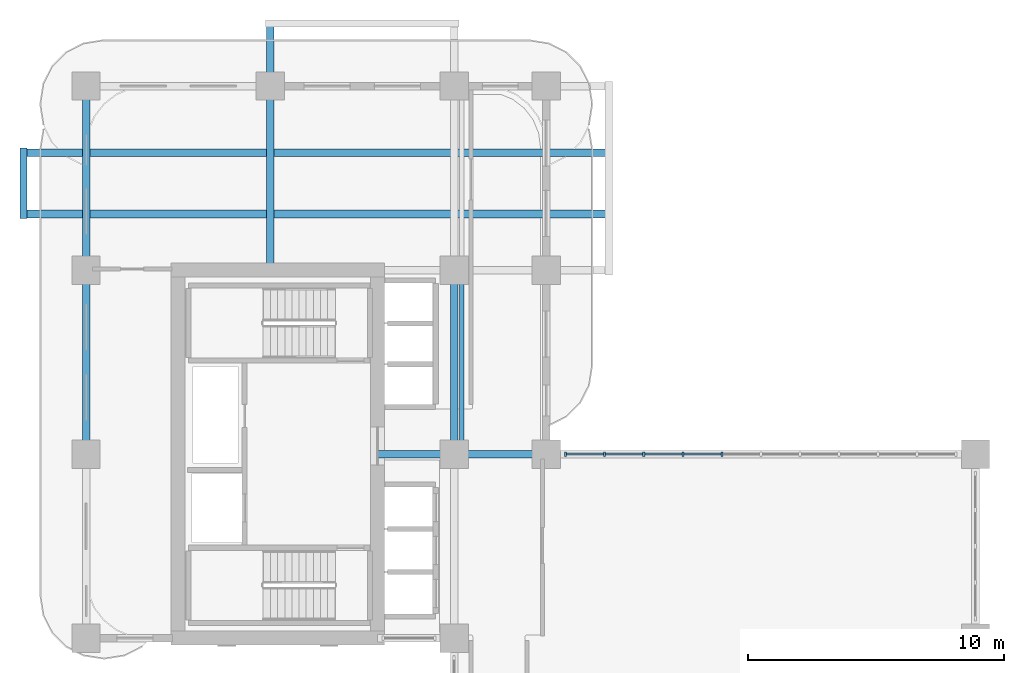
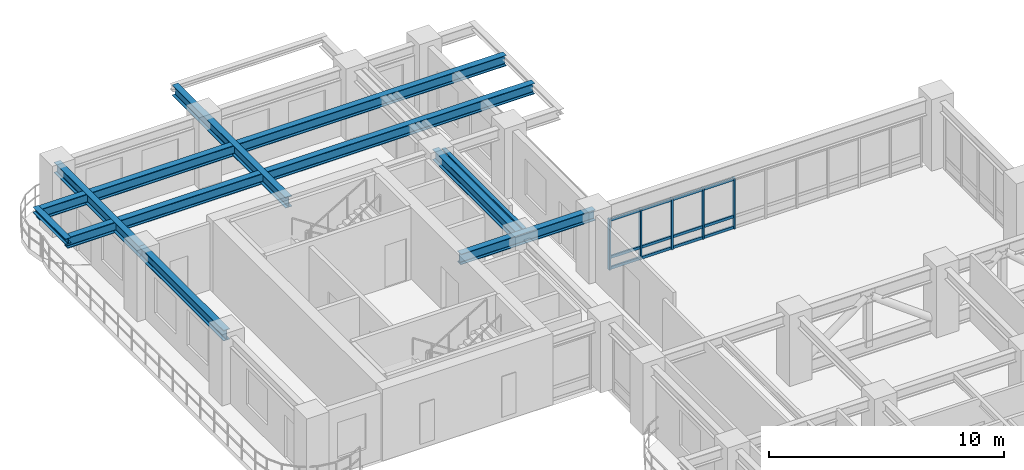
# One storey, part 5 of 21: 17 members, 9 beams, 1 element without a shape of its own.
"""IFC4 building model written with IfcOpenShell, lengths in metres."""

import ifcopenshell
import ifcopenshell.guid

model = None  # the IFC model being written
_history = None  # IfcOwnerHistory: only IFC2X3 demands one
_inside = {}  # id of a spatial element -> (the spatial element, [elements in it])
_under = {}  # id of a project, library or spatial element -> (it, [spatial elements below it])
_declared = {}  # id of a project -> (the project, [libraries it declares])
_typed = {}  # id of a type object -> (the type object, [elements of that type])
_made_of = {}  # id of a material, layer set ... -> (it, [elements and type objects made of it])


def new_model(schema):
    """Start an empty IFC model of exactly this schema.

    Asked for "IFC4X3", IfcOpenShell would pick the latest addendum, in which some entities
    have other attributes; the version numbers below select the first issue.
    IFC2X3 requires an IfcOwnerHistory on every rooted entity: one is made here for all.
    """
    global model, _history
    if schema == "IFC4X3":
        model = ifcopenshell.file(schema_version=(4, 3, 0, 0))
    else:
        model = ifcopenshell.file(schema=schema)
    _inside.clear()
    _under.clear()
    _declared.clear()
    _typed.clear()
    _made_of.clear()
    _history = None
    if model.schema == "IFC2X3":
        org = make("IfcOrganization", Name="unknown")
        user = make(
            "IfcPersonAndOrganization",
            ThePerson=make("IfcPerson", FamilyName="unknown"),
            TheOrganization=org,
        )
        app = make(
            "IfcApplication",
            ApplicationDeveloper=org,
            Version="unknown",
            ApplicationFullName="unknown",
            ApplicationIdentifier="unknown",
        )
        _history = make(
            "IfcOwnerHistory",
            OwningUser=user,
            OwningApplication=app,
            ChangeAction="ADDED",
            CreationDate=0,
        )
    return model


def make(cls, **values):
    """One entity of the class cls with the attributes given. An attribute that is None is left unset."""
    return model.create_entity(
        cls, **{name: value for name, value in values.items() if value is not None}
    )


def rooted(cls, **values):
    """An entity with a GlobalId (a new one), such as an element, a storey or a relation."""
    return make(cls, GlobalId=ifcopenshell.guid.new(), OwnerHistory=_history, **values)


def si_unit(unit_type, name, prefix=None):
    """IfcSIUnit, for example si_unit("LENGTHUNIT", "METRE", prefix="MILLI")."""
    return make("IfcSIUnit", UnitType=unit_type, Prefix=prefix, Name=name)


def derived_unit(unit_type, elements):
    """IfcDerivedUnit: a product of units, each with its exponent."""
    return make(
        "IfcDerivedUnit",
        Elements=[
            make("IfcDerivedUnitElement", Unit=unit, Exponent=power)
            for unit, power in elements
        ],
        UnitType=unit_type,
    )


def assignment(units):
    """IfcUnitAssignment: the units of a project."""
    return None if units is None else make("IfcUnitAssignment", Units=units)


def point(xyz):
    """IfcCartesianPoint."""
    return None if xyz is None else make("IfcCartesianPoint", Coordinates=xyz)


def direction(xyz):
    """IfcDirection."""
    return None if xyz is None else make("IfcDirection", DirectionRatios=xyz)


def frame(location, z_axis=None, x_axis=None):
    """IfcAxis2Placement3D, a coordinate frame: its origin and axes. An axis left out is left unset."""
    return make(
        "IfcAxis2Placement3D",
        Location=point(location),
        Axis=direction(z_axis),
        RefDirection=direction(x_axis),
    )


def frame_2d(location, x_axis=None):
    """IfcAxis2Placement2D, a coordinate frame in the plane: its origin and x axis."""
    return make(
        "IfcAxis2Placement2D", Location=point(location), RefDirection=direction(x_axis)
    )


def origin():
    """The frame at (0, 0, 0) with its axes left unset."""
    return frame((0.0, 0.0, 0.0))


def origin_2d():
    """The frame at (0, 0) in the plane with its x axis left unset."""
    return frame_2d((0.0, 0.0))


def place(relative_to, where):
    """IfcLocalPlacement: puts the frame where relative to a parent placement (None: the world)."""
    return make(
        "IfcLocalPlacement", PlacementRelTo=relative_to, RelativePlacement=where
    )


def context(
    kind, dimensions, precision=None, world=None, true_north=None, identifier=None
):
    """IfcGeometricRepresentationContext, for example the 3D "Model" context."""
    return make(
        "IfcGeometricRepresentationContext",
        ContextIdentifier=identifier,
        ContextType=kind,
        CoordinateSpaceDimension=dimensions,
        Precision=precision,
        WorldCoordinateSystem=world,
        TrueNorth=true_north,
    )


def subcontext(parent, identifier, kind, view, scale=None):
    """IfcGeometricRepresentationSubContext, for example "Body" below "Model"."""
    return make(
        "IfcGeometricRepresentationSubContext",
        ContextIdentifier=identifier,
        ContextType=kind,
        ParentContext=parent,
        TargetScale=scale,
        TargetView=view,
    )


def project(units=None, contexts=None):
    """IfcProject with its units and contexts."""
    return rooted(
        "IfcProject",
        Name="project",
        RepresentationContexts=contexts,
        UnitsInContext=assignment(units),
    )


def spatial(cls, under=None, at=None, **own):
    """A site, building, storey or space (cls), placed at a placement, below another one or the project."""
    s = rooted(cls, ObjectPlacement=at, **own)
    if under is not None:
        _under.setdefault(under.id(), (under, []))[1].append(s)
    return s


def profile(cls, at=None, kind="AREA", **sizes):
    """A parametric profile (cls). Its sizes go by their IFC names, for example OverallWidth=200.0."""
    return make(cls, ProfileType=kind, Position=at, **sizes)


def rectangle(**sizes):
    """IfcRectangleProfileDef."""
    return profile("IfcRectangleProfileDef", **sizes)


def i_section(**sizes):
    """IfcIShapeProfileDef."""
    return profile("IfcIShapeProfileDef", **sizes)


def extrude(swept, where, along, depth):
    """IfcExtrudedAreaSolid: the profile swept, set in the frame where, extruded along a direction by depth."""
    return make(
        "IfcExtrudedAreaSolid",
        SweptArea=swept,
        Position=where,
        ExtrudedDirection=direction(along),
        Depth=depth,
    )


def shape(context_of_items, identifier, shape_type, items):
    """IfcShapeRepresentation: the items that make up one representation, for example the "Body"."""
    return make(
        "IfcShapeRepresentation",
        ContextOfItems=context_of_items,
        RepresentationIdentifier=identifier,
        RepresentationType=shape_type,
        Items=items,
    )


def source(mapping_origin, context_of_items, identifier, shape_type, items):
    """IfcRepresentationMap: a shape defined once, which mapped items show again and again."""
    return make(
        "IfcRepresentationMap",
        MappingOrigin=mapping_origin,
        MappedRepresentation=shape(context_of_items, identifier, shape_type, items),
    )


def transform(
    local_origin,
    x_axis=None,
    y_axis=None,
    z_axis=None,
    scale=None,
    scale2=None,
    scale3=None,
    uniform=True,
):
    """IfcCartesianTransformationOperator3D, or its non-uniform kind. x_axis, y_axis, z_axis: its Axis1, 2, 3."""
    if uniform:
        return make(
            "IfcCartesianTransformationOperator3D",
            Axis1=direction(x_axis),
            Axis2=direction(y_axis),
            LocalOrigin=point(local_origin),
            Scale=scale,
            Axis3=direction(z_axis),
        )
    return make(
        "IfcCartesianTransformationOperator3DnonUniform",
        Axis1=direction(x_axis),
        Axis2=direction(y_axis),
        LocalOrigin=point(local_origin),
        Scale=scale,
        Axis3=direction(z_axis),
        Scale2=scale2,
        Scale3=scale3,
    )


def mapped(mapping_source, mapping_target):
    """IfcMappedItem: shows the shape of a source again, moved by a transform."""
    return make(
        "IfcMappedItem", MappingSource=mapping_source, MappingTarget=mapping_target
    )


def material(Name=None, Category=None):
    """IfcMaterial."""
    return make("IfcMaterial", Name=Name, Category=Category)


def layer(
    of_material, thickness, ventilated=None, Name=None, Category=None, Priority=None
):
    """IfcMaterialLayer: one layer of a wall or slab, of a material (None: an air gap)."""
    return make(
        "IfcMaterialLayer",
        Material=of_material,
        LayerThickness=thickness,
        IsVentilated=ventilated,
        Name=Name,
        Category=Category,
        Priority=Priority,
    )


def layer_set(layers, Name=None):
    """IfcMaterialLayerSet."""
    return make("IfcMaterialLayerSet", MaterialLayers=layers, LayerSetName=Name)


def material_profile(
    of_material, cross_section, Name=None, Category=None, Priority=None
):
    """IfcMaterialProfile: a cross section and its material."""
    return make(
        "IfcMaterialProfile",
        Name=Name,
        Material=of_material,
        Profile=cross_section,
        Priority=Priority,
        Category=Category,
    )


def profile_set(profiles, Name=None, composite=None):
    """IfcMaterialProfileSet."""
    return make(
        "IfcMaterialProfileSet",
        Name=Name,
        MaterialProfiles=profiles,
        CompositeProfile=composite,
    )


def made_of(thing, what):
    """Note that an element or type object is made of a material, layer set ...; save() writes the relation."""
    if what is not None:
        _made_of.setdefault(what.id(), (what, []))[1].append(thing)
    return thing


def type_object(cls, material=None, **own):
    """A type object (cls), such as IfcWallType, which elements share."""
    return made_of(rooted(cls, **own), material)


def type_shapes(of_type, sources):
    """Give a type object the sources (RepresentationMaps) that its elements show as mapped items."""
    of_type.RepresentationMaps = sources


def element(
    cls,
    number,
    at=None,
    inside=None,
    cuts=None,
    type_object=None,
    material=None,
    context=None,
    identifier="Body",
    shape_type=None,
    held_by="IfcProductDefinitionShape",
    body=None,
    shapes=None,
    **own,
):
    """One element of the class cls, such as IfcWall. Its Tag is "e" and its number.

    at: its placement. inside: the storey or other place that contains it. cuts: it is an
    opening in that element (IfcRelVoidsElement). A single representation is given by context,
    identifier, shape_type and body (its items); several are given by shapes. held_by: the class
    of the entity that holds the representations. save() writes the other relations.
    """
    e = rooted(cls, Tag="e%d" % number, ObjectPlacement=at, **own)
    if body is not None:
        shapes = [shape(context, identifier, shape_type, body)]
    if shapes is not None:
        e.Representation = make(held_by, Representations=shapes)
    if inside is not None:
        _inside.setdefault(inside.id(), (inside, []))[1].append(e)
    if cuts is not None:
        rooted(
            "IfcRelVoidsElement", RelatingBuildingElement=cuts, RelatedOpeningElement=e
        )
    if type_object is not None:
        _typed.setdefault(type_object.id(), (type_object, []))[1].append(e)
    return made_of(e, material)


def aggregate(whole, parts):
    """IfcRelAggregates: a whole, such as a stair, and the parts it consists of."""
    return rooted("IfcRelAggregates", RelatingObject=whole, RelatedObjects=parts)


def save(model, path):
    """Write the relations noted so far, then the file.

    IfcRelAggregates (storeys below a building ...), IfcRelContainedInSpatialStructure (elements
    in a storey), IfcRelDefinesByType, IfcRelAssociatesMaterial and IfcRelDeclares: one each for
    every whole, place, type object, material and project.
    """
    for whole, parts in _under.values():
        aggregate(whole, parts)
    for where, things in _inside.values():
        rooted(
            "IfcRelContainedInSpatialStructure",
            RelatedElements=things,
            RelatingStructure=where,
        )
    for kind, things in _typed.values():
        rooted("IfcRelDefinesByType", RelatedObjects=things, RelatingType=kind)
    for what, things in _made_of.values():
        rooted("IfcRelAssociatesMaterial", RelatedObjects=things, RelatingMaterial=what)
    for by, libraries in _declared.values():
        rooted("IfcRelDeclares", RelatingContext=by, RelatedDefinitions=libraries)
    model.write(path)


model = new_model("IFC4")

# Units and contexts
model_context = context("Model", 3, precision=1e-05, world=origin(), true_north=direction((0.0, 1.0)))
body_context = subcontext(model_context, "Body", "Model", "MODEL_VIEW")
ifc_project = project(units=[si_unit("LENGTHUNIT", "METRE"), si_unit("AREAUNIT", "SQUARE_METRE"), si_unit("VOLUMEUNIT", "CUBIC_METRE"), si_unit("PLANEANGLEUNIT", "RADIAN"), si_unit("MASSUNIT", "GRAM", prefix="KILO"), si_unit("THERMODYNAMICTEMPERATUREUNIT", "KELVIN"), si_unit("POWERUNIT", "WATT"), derived_unit("THERMALTRANSMITTANCEUNIT", [(si_unit("POWERUNIT", "WATT"), 1), (si_unit("AREAUNIT", "SQUARE_METRE"), -1), (si_unit("THERMODYNAMICTEMPERATUREUNIT", "KELVIN"), -1)])], contexts=[model_context])

# Site, building, storey
site_placement = place(None, origin())
site = spatial("IfcSite", under=ifc_project, at=site_placement, CompositionType="ELEMENT")
building_placement = place(site_placement, origin())
building = spatial("IfcBuilding", under=site, at=building_placement, Name="Zahravan Archway Hotel and Residences", CompositionType="ELEMENT")
storey_placement = place(building_placement, frame((0.0, 0.0, 65.699951171875)))
storey = spatial("IfcBuildingStorey", under=building, at=storey_placement, Name="L15", CompositionType="ELEMENT", Elevation=65.699951171875)

# Beams
ifc_material_1 = material(Name="Structural Steel S355JR", Category="steel")
ifc_material_profile_1 = material_profile(ifc_material_1, i_section(OverallWidth=0.280029296875, OverallDepth=0.280029296875, WebThickness=0.010498046875, FlangeThickness=0.01806640625, FilletRadius=0.02392578125, at=origin_2d()), Name="HEB 280", Category="steel")
ifc_profile_set_1 = profile_set([ifc_material_profile_1], Name="Structural Steel S355JR")
beam_type_1 = type_object("IfcBeamType", Name="BM-SPN-HEB280", PredefinedType="SPANDREL", material=ifc_profile_set_1)
shared_shape_1 = source(origin(), body_context, "Body", "SweptSolid", [
    extrude(i_section(OverallWidth=0.280029296875, OverallDepth=0.280029296875, WebThickness=0.010498046875, FlangeThickness=0.01806640625, FilletRadius=0.02392578125, at=origin_2d()), origin(), (0.0, 0.0, 1.0), 2.759765625),
])
beam_1_placement = place(storey_placement, frame((-2.449951171875, 41.6201171875, 3.31005859375), z_axis=(0.0, 1.0, 0.0), x_axis=(-1.0, 0.0, 0.0)))
element("IfcBeam", 1, at=beam_1_placement, inside=storey, type_object=beam_type_1, Name="L16 WB Balcony Edge Spandrel", PredefinedType="SPANDREL", context=body_context, shape_type="MappedRepresentation", body=[
    mapped(shared_shape_1, transform((0.0, 0.0, 0.0), scale=1.0)),
])
ifc_material_profile_2 = material_profile(ifc_material_1, i_section(OverallWidth=0.300048828125, OverallDepth=0.550048828125, WebThickness=0.014892578125, FlangeThickness=0.029052734375, FilletRadius=0.027099609375, at=origin_2d()), Name="HEB 550", Category="steel")
ifc_profile_set_2 = profile_set([ifc_material_profile_2], Name="Structural Steel S355JR")
beam_type_2 = type_object("IfcBeamType", Name="BM-PRI-HEB550", PredefinedType="BEAM", material=ifc_profile_set_2)
shared_shape_2 = source(origin(), body_context, "Body", "SweptSolid", [
    extrude(i_section(OverallWidth=0.300048828125, OverallDepth=0.550048828125, WebThickness=0.014892578125, FlangeThickness=0.029052734375, FilletRadius=0.027099609375, at=origin_2d()), origin(), (0.0, 0.0, 1.0), 7.2001953125),
])
type_shapes(beam_type_2, [shared_shape_2])
for number, where, z_axis, x_axis, name in (
    (2, (0.0, 32.39990234375, 3.175048828125), (0.0, 1.0, 0.0), (-1.0, 0.0, 0.0), "L15 Primary Girder NS-27"),
    (3, (14.39990234375, 32.39990234375, 3.175048828125), (0.0, 1.0, 0.0), (-1.0, 0.0, 0.0), "L15 Primary Girder NS-35"),
):
    element("IfcBeam", number, at=place(storey_placement, frame(where, z_axis=z_axis, x_axis=x_axis)), inside=storey, type_object=beam_type_2, Name=name, PredefinedType="BEAM", context=body_context, shape_type="MappedRepresentation", body=[
        mapped(shared_shape_2, transform((0.0, 0.0, 0.0), scale=1.0)),
    ])
shared_shape_3 = source(origin(), body_context, "Body", "SweptSolid", [
    extrude(i_section(OverallWidth=0.300048828125, OverallDepth=0.550048828125, WebThickness=0.014892578125, FlangeThickness=0.029052734375, FilletRadius=0.027099609375, at=origin_2d()), origin(), (0.0, 0.0, 1.0), 7.199951171875),
])
beam_2_placement = place(storey_placement, frame((0.0, 39.60009765625, 3.175048828125), z_axis=(0.0, 1.0, 0.0), x_axis=(-1.0, 0.0, 0.0)))
element("IfcBeam", 4, at=beam_2_placement, inside=storey, type_object=beam_type_2, Name="L15 Primary Girder NS-28", PredefinedType="BEAM", context=body_context, shape_type="MappedRepresentation", body=[
    mapped(shared_shape_3, transform((0.0, 0.0, 0.0), scale=1.0)),
])
shared_shape_4 = source(origin(), body_context, "Body", "SweptSolid", [
    extrude(i_section(OverallWidth=0.300048828125, OverallDepth=0.550048828125, WebThickness=0.014892578125, FlangeThickness=0.029052734375, FilletRadius=0.027099609375, at=origin_2d()), origin(), (0.0, 0.0, 1.0), 6.60009765625),
])
beam_3_placement = place(storey_placement, frame((11.39990234375, 32.39990234375, 3.175048828125), z_axis=(1.0, 0.0, 0.0), x_axis=(0.0, 1.0, 0.0)))
element("IfcBeam", 5, at=beam_3_placement, inside=storey, type_object=beam_type_2, Name="L15 Primary Girder EW-19", PredefinedType="BEAM", context=body_context, shape_type="MappedRepresentation", body=[
    mapped(shared_shape_4, transform((0.0, 0.0, 0.0), scale=1.0)),
])
ifc_material_profile_3 = material_profile(ifc_material_1, i_section(OverallWidth=0.179931640625, OverallDepth=0.39990234375, WebThickness=0.008544921875, FlangeThickness=0.013427734375, FilletRadius=0.02099609375, at=origin_2d()), Name="IPE 400", Category="steel")
ifc_profile_set_3 = profile_set([ifc_material_profile_3], Name="Structural Steel S355JR")
beam_type_3 = type_object("IfcBeamType", Name="BM-JST-IPE400", PredefinedType="JOIST", material=ifc_profile_set_3)
shared_shape_5 = source(origin(), body_context, "Body", "SweptSolid", [
    extrude(i_section(OverallWidth=0.179931640625, OverallDepth=0.39990234375, WebThickness=0.008544921875, FlangeThickness=0.013427734375, FilletRadius=0.02099609375, at=origin_2d()), origin(), (0.0, 0.0, 1.0), 6.90380859375),
])
beam_4_placement = place(storey_placement, frame((14.699951171875, 32.548095703125, 3.25), z_axis=(0.0, 1.0, 0.0), x_axis=(-1.0, 0.0, 0.0)))
element("IfcBeam", 6, at=beam_4_placement, inside=storey, type_object=beam_type_3, Name="L15 Composite Floor Joist 11", PredefinedType="JOIST", context=body_context, shape_type="MappedRepresentation", body=[
    mapped(shared_shape_5, transform((0.0, 0.0, 0.0), scale=1.0)),
])
shared_shape_6 = source(origin(), body_context, "Body", "SweptSolid", [
    extrude(i_section(OverallWidth=0.300048828125, OverallDepth=0.550048828125, WebThickness=0.014892578125, FlangeThickness=0.029052734375, FilletRadius=0.027099609375, at=origin_2d()), origin(), (0.0, 0.0, 1.0), 22.89990234375),
])
for number, where, z_axis, x_axis, name in (
    (7, (-2.449951171875, 41.800048828125, 3.175048828125), (1.0, 0.0, 0.0), (0.0, 1.0, 0.0), "L15 Primary Girder EW-24"),
    (8, (-2.449951171875, 44.199951171875, 3.175048828125), (1.0, 0.0, 0.0), (0.0, 1.0, 0.0), "L15 Primary Girder EW-25"),
):
    element("IfcBeam", number, at=place(storey_placement, frame(where, z_axis=z_axis, x_axis=x_axis)), inside=storey, type_object=beam_type_2, Name=name, PredefinedType="BEAM", context=body_context, shape_type="MappedRepresentation", body=[
        mapped(shared_shape_6, transform((0.0, 0.0, 0.0), scale=1.0)),
    ])
shared_shape_7 = source(origin(), body_context, "Body", "SweptSolid", [
    extrude(i_section(OverallWidth=0.300048828125, OverallDepth=0.550048828125, WebThickness=0.014892578125, FlangeThickness=0.029052734375, FilletRadius=0.027099609375, at=origin_2d()), origin(), (0.0, 0.0, 1.0), 9.64990234375),
])
beam_5_placement = place(storey_placement, frame((7.199951171875, 39.60009765625, 3.175048828125), z_axis=(0.0, 1.0, 0.0), x_axis=(-1.0, 0.0, 0.0)))
element("IfcBeam", 9, at=beam_5_placement, inside=storey, type_object=beam_type_2, Name="L15 Primary Girder NS-29", PredefinedType="BEAM", context=body_context, shape_type="MappedRepresentation", body=[
    mapped(shared_shape_7, transform((0.0, 0.0, 0.0), scale=1.0)),
])

# Curtain wall, members
ifc_material_2 = material(Name="Bronze-Anodized Unitised Aluminium & Low-E Glass", Category="aluminium")
ifc_layer = layer(ifc_material_2, 0.179931640625, Name="Bronze-Anodized Unitised Aluminium & Low-E Glass", Category="aluminium")
ifc_layer_set = layer_set([ifc_layer], Name="Bronze-Anodized Unitised Aluminium & Low-E Glass")
curtain_wall_type = type_object("IfcCurtainWallType", Name="CW-SBG-1", PredefinedType="NOTDEFINED", material=ifc_layer_set)
curtain_wall_placement = place(storey_placement, origin())
curtain_wall = element("IfcCurtainWall", 10, at=curtain_wall_placement, inside=storey, type_object=curtain_wall_type, Name="L15 Curtain Wall CW-L15-HNG-N-1", PredefinedType="NOTDEFINED")
ifc_material_3 = material(Name="Bronze-Anodized Extruded Aluminium", Category="aluminium")
ifc_material_profile_4 = material_profile(ifc_material_3, rectangle(XDim=0.080078125, YDim=0.159912109375, at=origin_2d()), Name="MUL 80x160", Category="aluminium")
ifc_profile_set_4 = profile_set([ifc_material_profile_4], Name="Bronze-Anodized Extruded Aluminium")
member_type_1 = type_object("IfcMemberType", Name="CWM-MUL-160", PredefinedType="MULLION", material=ifc_profile_set_4)
shared_shape_8 = source(origin(), body_context, "Body", "SweptSolid", [
    extrude(rectangle(XDim=0.080078125, YDim=0.159912109375, at=origin_2d()), origin(), (0.0, 0.0, 1.0), 2.635009765625),
])
member_1_placement = place(storey_placement, frame((18.760009765625, 32.39990234375, 0.0), z_axis=(0.0, 0.0, 1.0), x_axis=(1.0, 0.0, 0.0)))
member_1 = element("IfcMember", 11, at=member_1_placement, type_object=member_type_1, Name="CW-L15-HNG-N-1 Mullion 0", PredefinedType="MULLION", context=body_context, shape_type="MappedRepresentation", body=[
    mapped(shared_shape_8, transform((0.0, 0.0, 0.0), scale=1.0)),
])
member_2_placement = place(storey_placement, frame((20.2880859375, 32.39990234375, 0.0), z_axis=(0.0, 0.0, 1.0), x_axis=(1.0, 0.0, 0.0)))
member_2 = element("IfcMember", 12, at=member_2_placement, type_object=member_type_1, Name="CW-L15-HNG-N-1 Mullion 1", PredefinedType="MULLION", context=body_context, shape_type="MappedRepresentation", body=[
    mapped(shared_shape_8, transform((0.0, 0.0, 0.0), scale=1.0)),
])
member_3_placement = place(storey_placement, frame((21.81591796875, 32.39990234375, 0.0), z_axis=(0.0, 0.0, 1.0), x_axis=(1.0, 0.0, 0.0)))
member_3 = element("IfcMember", 13, at=member_3_placement, type_object=member_type_1, Name="CW-L15-HNG-N-1 Mullion 2", PredefinedType="MULLION", context=body_context, shape_type="MappedRepresentation", body=[
    mapped(shared_shape_8, transform((0.0, 0.0, 0.0), scale=1.0)),
])
member_4_placement = place(storey_placement, frame((23.343994140625, 32.39990234375, 0.0), z_axis=(0.0, 0.0, 1.0), x_axis=(1.0, 0.0, 0.0)))
member_4 = element("IfcMember", 14, at=member_4_placement, type_object=member_type_1, Name="CW-L15-HNG-N-1 Mullion 3", PredefinedType="MULLION", context=body_context, shape_type="MappedRepresentation", body=[
    mapped(shared_shape_8, transform((0.0, 0.0, 0.0), scale=1.0)),
])
member_5_placement = place(storey_placement, frame((24.8720703125, 32.39990234375, 0.0), z_axis=(0.0, 0.0, 1.0), x_axis=(1.0, 0.0, 0.0)))
member_5 = element("IfcMember", 15, at=member_5_placement, type_object=member_type_1, Name="CW-L15-HNG-N-1 Mullion 4", PredefinedType="MULLION", context=body_context, shape_type="MappedRepresentation", body=[
    mapped(shared_shape_8, transform((0.0, 0.0, 0.0), scale=1.0)),
])
ifc_material_profile_5 = material_profile(ifc_material_3, rectangle(XDim=0.080078125, YDim=0.139892578125, at=origin_2d()), Name="TRN 80x140", Category="aluminium")
ifc_profile_set_5 = profile_set([ifc_material_profile_5], Name="Bronze-Anodized Extruded Aluminium")
member_type_2 = type_object("IfcMemberType", Name="CWM-TRN-140", PredefinedType="USERDEFINED", material=ifc_profile_set_5)
shared_shape_9 = source(origin(), body_context, "Body", "SweptSolid", [
    extrude(rectangle(XDim=0.080078125, YDim=0.139892578125, at=origin_2d()), origin(), (0.0, 0.0, 1.0), 1.447998046875),
])
member_6_placement = place(storey_placement, frame((18.800048828125, 32.39990234375, 0.070068359375), z_axis=(1.0, 0.0, 0.0), x_axis=(0.0, 1.0, 0.0)))
member_6 = element("IfcMember", 16, at=member_6_placement, type_object=member_type_2, Name="CW-L15-HNG-N-1 Transom 0-1", ObjectType="TRANSOM", PredefinedType="USERDEFINED", context=body_context, shape_type="MappedRepresentation", body=[
    mapped(shared_shape_9, transform((0.0, 0.0, 0.0), scale=1.0)),
])
member_7_placement = place(storey_placement, frame((18.800048828125, 32.39990234375, 0.632568359375), z_axis=(1.0, 0.0, 0.0), x_axis=(0.0, 1.0, 0.0)))
member_7 = element("IfcMember", 17, at=member_7_placement, type_object=member_type_2, Name="CW-L15-HNG-N-1 Transom 0-2", ObjectType="TRANSOM", PredefinedType="USERDEFINED", context=body_context, shape_type="MappedRepresentation", body=[
    mapped(shared_shape_9, transform((0.0, 0.0, 0.0), scale=1.0)),
])
member_8_placement = place(storey_placement, frame((18.800048828125, 32.39990234375, 2.56494140625), z_axis=(1.0, 0.0, 0.0), x_axis=(0.0, 1.0, 0.0)))
member_8 = element("IfcMember", 18, at=member_8_placement, type_object=member_type_2, Name="CW-L15-HNG-N-1 Transom 0-3", ObjectType="TRANSOM", PredefinedType="USERDEFINED", context=body_context, shape_type="MappedRepresentation", body=[
    mapped(shared_shape_9, transform((0.0, 0.0, 0.0), scale=1.0)),
])
member_9_placement = place(storey_placement, frame((20.327880859375, 32.39990234375, 0.070068359375), z_axis=(1.0, 0.0, 0.0), x_axis=(0.0, 1.0, 0.0)))
member_9 = element("IfcMember", 19, at=member_9_placement, type_object=member_type_2, Name="CW-L15-HNG-N-1 Transom 1-1", ObjectType="TRANSOM", PredefinedType="USERDEFINED", context=body_context, shape_type="MappedRepresentation", body=[
    mapped(shared_shape_9, transform((0.0, 0.0, 0.0), scale=1.0)),
])
member_10_placement = place(storey_placement, frame((20.327880859375, 32.39990234375, 0.632568359375), z_axis=(1.0, 0.0, 0.0), x_axis=(0.0, 1.0, 0.0)))
member_10 = element("IfcMember", 20, at=member_10_placement, type_object=member_type_2, Name="CW-L15-HNG-N-1 Transom 1-2", ObjectType="TRANSOM", PredefinedType="USERDEFINED", context=body_context, shape_type="MappedRepresentation", body=[
    mapped(shared_shape_9, transform((0.0, 0.0, 0.0), scale=1.0)),
])
member_11_placement = place(storey_placement, frame((20.327880859375, 32.39990234375, 2.56494140625), z_axis=(1.0, 0.0, 0.0), x_axis=(0.0, 1.0, 0.0)))
member_11 = element("IfcMember", 21, at=member_11_placement, type_object=member_type_2, Name="CW-L15-HNG-N-1 Transom 1-3", ObjectType="TRANSOM", PredefinedType="USERDEFINED", context=body_context, shape_type="MappedRepresentation", body=[
    mapped(shared_shape_9, transform((0.0, 0.0, 0.0), scale=1.0)),
])
member_12_placement = place(storey_placement, frame((21.85595703125, 32.39990234375, 0.070068359375), z_axis=(1.0, 0.0, 0.0), x_axis=(0.0, 1.0, 0.0)))
member_12 = element("IfcMember", 22, at=member_12_placement, type_object=member_type_2, Name="CW-L15-HNG-N-1 Transom 2-1", ObjectType="TRANSOM", PredefinedType="USERDEFINED", context=body_context, shape_type="MappedRepresentation", body=[
    mapped(shared_shape_9, transform((0.0, 0.0, 0.0), scale=1.0)),
])
member_13_placement = place(storey_placement, frame((21.85595703125, 32.39990234375, 0.632568359375), z_axis=(1.0, 0.0, 0.0), x_axis=(0.0, 1.0, 0.0)))
member_13 = element("IfcMember", 23, at=member_13_placement, type_object=member_type_2, Name="CW-L15-HNG-N-1 Transom 2-2", ObjectType="TRANSOM", PredefinedType="USERDEFINED", context=body_context, shape_type="MappedRepresentation", body=[
    mapped(shared_shape_9, transform((0.0, 0.0, 0.0), scale=1.0)),
])
member_14_placement = place(storey_placement, frame((21.85595703125, 32.39990234375, 2.56494140625), z_axis=(1.0, 0.0, 0.0), x_axis=(0.0, 1.0, 0.0)))
member_14 = element("IfcMember", 24, at=member_14_placement, type_object=member_type_2, Name="CW-L15-HNG-N-1 Transom 2-3", ObjectType="TRANSOM", PredefinedType="USERDEFINED", context=body_context, shape_type="MappedRepresentation", body=[
    mapped(shared_shape_9, transform((0.0, 0.0, 0.0), scale=1.0)),
])
member_15_placement = place(storey_placement, frame((23.384033203125, 32.39990234375, 0.070068359375), z_axis=(1.0, 0.0, 0.0), x_axis=(0.0, 1.0, 0.0)))
member_15 = element("IfcMember", 25, at=member_15_placement, type_object=member_type_2, Name="CW-L15-HNG-N-1 Transom 3-1", ObjectType="TRANSOM", PredefinedType="USERDEFINED", context=body_context, shape_type="MappedRepresentation", body=[
    mapped(shared_shape_9, transform((0.0, 0.0, 0.0), scale=1.0)),
])
member_16_placement = place(storey_placement, frame((23.384033203125, 32.39990234375, 0.632568359375), z_axis=(1.0, 0.0, 0.0), x_axis=(0.0, 1.0, 0.0)))
member_16 = element("IfcMember", 26, at=member_16_placement, type_object=member_type_2, Name="CW-L15-HNG-N-1 Transom 3-2", ObjectType="TRANSOM", PredefinedType="USERDEFINED", context=body_context, shape_type="MappedRepresentation", body=[
    mapped(shared_shape_9, transform((0.0, 0.0, 0.0), scale=1.0)),
])
member_17_placement = place(storey_placement, frame((23.384033203125, 32.39990234375, 2.56494140625), z_axis=(1.0, 0.0, 0.0), x_axis=(0.0, 1.0, 0.0)))
member_17 = element("IfcMember", 27, at=member_17_placement, type_object=member_type_2, Name="CW-L15-HNG-N-1 Transom 3-3", ObjectType="TRANSOM", PredefinedType="USERDEFINED", context=body_context, shape_type="MappedRepresentation", body=[
    mapped(shared_shape_9, transform((0.0, 0.0, 0.0), scale=1.0)),
])
aggregate(curtain_wall, [member_1, member_2, member_3, member_4, member_5, member_6, member_7, member_8, member_9, member_10, member_11, member_12, member_13, member_14, member_15, member_16, member_17])

save(model, "model.ifc")
